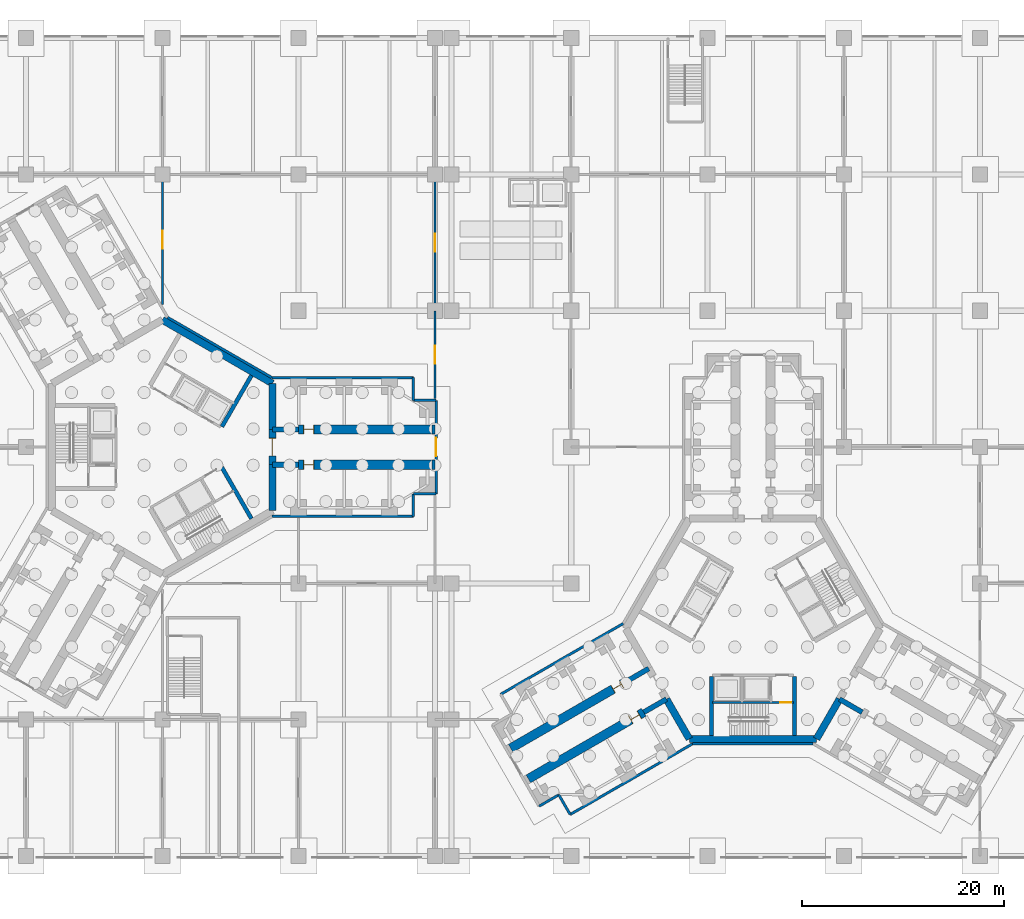
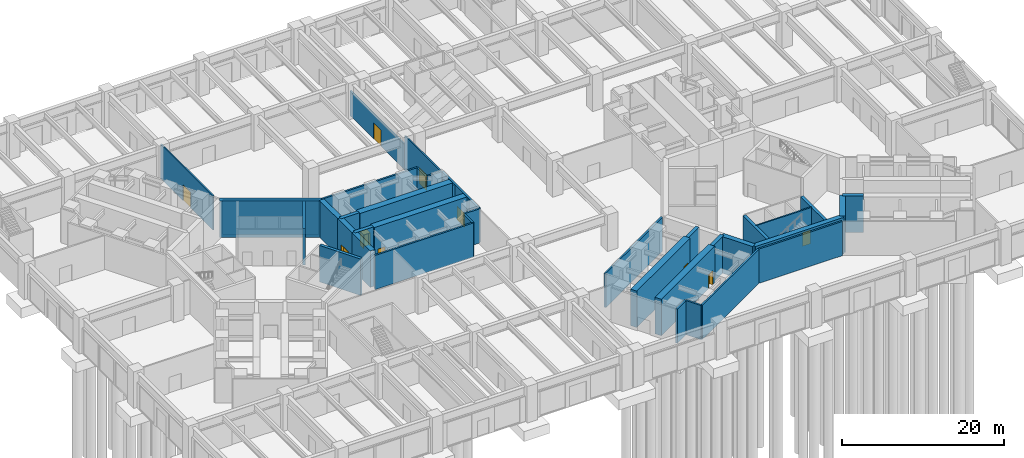
# One storey, part 9 of 18: 39 walls, 10 doors, 10 openings.
"""IFC4 building model written with IfcOpenShell, lengths in metres."""

from ifc_helpers import new_model, si_unit, direction, frame, frame_2d, origin, place, context, subcontext, project, spatial, rectangle, extrude, material, layer, layer_set, type_object, element, fill, save


model = new_model("IFC4")

# Units and contexts
model_context = context("Model", 3, precision=1e-05, world=origin(), true_north=direction((0.0, 1.0)))
body_context = subcontext(model_context, "Body", "Model", "MODEL_VIEW")
ifc_project = project(units=[si_unit("LENGTHUNIT", "METRE"), si_unit("AREAUNIT", "SQUARE_METRE"), si_unit("VOLUMEUNIT", "CUBIC_METRE"), si_unit("PLANEANGLEUNIT", "RADIAN"), si_unit("MASSUNIT", "GRAM", prefix="KILO")], contexts=[model_context])

# Site, building, storey
site_placement = place(None, origin())
site = spatial("IfcSite", under=ifc_project, at=site_placement, CompositionType="ELEMENT")
building_placement = place(site_placement, origin())
building = spatial("IfcBuilding", under=site, at=building_placement, Name="Upepo Twin Towers", CompositionType="ELEMENT")
storey_placement = place(building_placement, origin())
storey = spatial("IfcBuildingStorey", under=building, at=storey_placement, Name="L00", CompositionType="ELEMENT", Elevation=0.0)

# Walls
ifc_material_1 = material(Name="Dense concrete blockwork", Category="masonry")
ifc_layer_1 = layer(ifc_material_1, 0.89990234375)
ifc_layer_set_1 = layer_set([ifc_layer_1], Name="Buttress closer 900, blockwork with fire-stopping to the curtain wall")
wall_type_1 = type_object("IfcWallType", Name="Buttress closer 900, blockwork with fire-stopping to the curtain wall", PredefinedType="PARTITIONING", material=ifc_layer_set_1)
for number, where, z_axis, x_axis, name in (
    (1, (26.699951171875, 1.75, 0.0), (0.0, 0.0, 1.0), (1.0, 0.0, 0.0), "T1 L00 wing A buttress closer L"),
    (2, (26.699951171875, -1.75, 0.0), (0.0, 0.0, 1.0), (1.0, 0.0, 0.0), "T1 L00 wing A buttress closer R"),
):
    element("IfcWall", number, at=place(storey_placement, frame(where, z_axis=z_axis, x_axis=x_axis)), inside=storey, type_object=wall_type_1, Name=name, PredefinedType="PARTITIONING", context=body_context, shape_type="SweptSolid", body=[
        extrude(rectangle(XDim=0.300048828125, YDim=0.89990234375, at=frame_2d((0.14990234375, 0.0))), origin(), (0.0, 0.0, 1.0), 5.14990234375),
    ])
ifc_material_2 = material(Name="Concrete C60/75", Category="concrete")
ifc_layer_2 = layer(ifc_material_2, 0.5)
ifc_layer_set_2 = layer_set([ifc_layer_2], Name="Concrete C60/75")
wall_type_2 = type_object("IfcWallType", Name="Buttress wall 500 RC", PredefinedType="SHEAR", material=ifc_layer_set_2)
for number, where, z_axis, x_axis, name in (
    (3, (10.908447265625, 1.75, 0.0), (0.0, 0.0, 1.0), (1.0, 0.0, 0.0), "T1 wing A buttress wall L"),
    (4, (10.908447265625, -1.75, 0.0), (0.0, 0.0, 1.0), (1.0, 0.0, 0.0), "T1 wing A buttress wall R"),
):
    element("IfcWall", number, at=place(storey_placement, frame(where, z_axis=z_axis, x_axis=x_axis)), inside=storey, type_object=wall_type_2, Name=name, PredefinedType="SHEAR", context=body_context, shape_type="SweptSolid", body=[
        extrude(rectangle(XDim=2.591552734375, YDim=0.5, at=frame_2d((1.2958984375, 0.0))), origin(), (0.0, 0.0, 1.0), 5.5),
    ])
for number, where, z_axis, x_axis, name in (
    (5, (49.92822265625, -24.9697265625, 0.0), (0.0, 0.0, 1.0), (-0.866031863473, -0.499988811324, 0.0), "T2 wing B buttress wall L"),
    (6, (48.17822265625, -21.938720703125, 0.0), (0.0, 0.0, 1.0), (-0.866072649678, -0.499918158782, 0.0), "T2 wing B buttress wall R"),
    (7, (67.07177734375, -24.9697265625, 0.0), (0.0, 0.0, 1.0), (0.866031863473, -0.499988811324, 0.0), "T2 wing C buttress wall R"),
):
    element("IfcWall", number, at=place(storey_placement, frame(where, z_axis=z_axis, x_axis=x_axis)), inside=storey, type_object=wall_type_2, Name=name, PredefinedType="SHEAR", context=body_context, shape_type="SweptSolid", body=[
        extrude(rectangle(XDim=2.591796875, YDim=0.5, at=frame_2d((1.2958984375, 0.0))), origin(), (0.0, 0.0, 1.0), 5.5),
    ])

# Wall, opening, door
ifc_material_3 = material(Name="Concrete C60/75", Category="concrete")
ifc_layer_3 = layer(ifc_material_3, 0.89990234375)
ifc_layer_set_3 = layer_set([ifc_layer_3], Name="Concrete C60/75")
wall_type_3 = type_object("IfcWallType", Name="Buttress wall 900 RC", PredefinedType="SHEAR", material=ifc_layer_set_3)
wall_1_placement = place(storey_placement, frame((13.5, 1.75, 0.0), z_axis=(0.0, 0.0, 1.0), x_axis=(1.0, 0.0, 0.0)))
wall_1 = element("IfcWall", 8, at=wall_1_placement, inside=storey, type_object=wall_type_3, Name="T1 wing A buttress wall L part 2", PredefinedType="SHEAR", context=body_context, shape_type="SweptSolid", body=[
    extrude(rectangle(XDim=13.199951171875, YDim=0.89990234375, at=frame_2d((6.60009765625, 0.0))), origin(), (0.0, 0.0, 1.0), 5.5),
])
opening_1_placement = place(wall_1_placement, frame((0.5, 0.0, 0.0)))
opening_1 = element("IfcOpeningElement", 9, at=opening_1_placement, cuts=wall_1, Name="Opening D1", PredefinedType="OPENING", context=body_context, shape_type="SweptSolid", body=[
    extrude(rectangle(XDim=1.0, YDim=2.10009765625, at=frame_2d((0.5, 1.050048828125))), frame((0.0, 0.4599609375, 0.0), z_axis=(0.0, -1.0, 0.0), x_axis=(1.0, 0.0, 0.0)), (0.0, 0.0, 1.0), 0.919921875),
])
ifc_material_4 = material(Name="Timber doorset", Category="wood")
door_type_1 = type_object("IfcDoorType", Name="Room door 1000 FD30", OperationType="SINGLE_SWING_LEFT", PredefinedType="DOOR", material=ifc_material_4)
door_1_placement = place(opening_1_placement, origin())
door_1 = element("IfcDoor", 10, at=door_1_placement, inside=storey, type_object=door_type_1, Name="T1 L00 faculty reception door", OperationType="SINGLE_SWING_LEFT", OverallHeight=2.10009765625, OverallWidth=1.0, PredefinedType="DOOR", context=body_context, shape_type="SweptSolid", body=[
    extrude(rectangle(XDim=0.92, YDim=2.06009765625, at=frame_2d((0.5, 1.030029296875))), frame((0.0, 0.02490234375, 0.0), z_axis=(0.0, -1.0, 0.0), x_axis=(1.0, 0.0, 0.0)), (0.0, 0.0, 1.0), 0.050048828125),
    extrude(rectangle(XDim=0.04, YDim=2.10009765625, at=frame_2d((0.02001953125, 1.050048828125))), frame((0.0, 0.44970703125, 0.0), z_axis=(0.0, -1.0, 0.0), x_axis=(1.0, 0.0, 0.0)), (0.0, 0.0, 1.0), 0.8994140625),
    extrude(rectangle(XDim=0.04, YDim=2.10009765625, at=frame_2d((0.97998046875, 1.050048828125))), frame((0.0, 0.44970703125, 0.0), z_axis=(0.0, -1.0, 0.0), x_axis=(1.0, 0.0, 0.0)), (0.0, 0.0, 1.0), 0.8994140625),
    extrude(rectangle(XDim=0.92, YDim=0.04, at=frame_2d((0.5, 2.080078125))), frame((0.0, 0.44970703125, 0.0), z_axis=(0.0, -1.0, 0.0), x_axis=(1.0, 0.0, 0.0)), (0.0, 0.0, 1.0), 0.8994140625),
])
fill(opening_1, door_1)

wall_2_placement = place(storey_placement, frame((13.5, -1.75, 0.0), z_axis=(0.0, 0.0, 1.0), x_axis=(1.0, 0.0, 0.0)))
wall_2 = element("IfcWall", 11, at=wall_2_placement, inside=storey, type_object=wall_type_3, Name="T1 wing A buttress wall R part 2", PredefinedType="SHEAR", context=body_context, shape_type="SweptSolid", body=[
    extrude(rectangle(XDim=13.199951171875, YDim=0.89990234375, at=frame_2d((6.60009765625, 0.0))), origin(), (0.0, 0.0, 1.0), 5.5),
])
opening_2_placement = place(wall_2_placement, frame((0.5, 0.0, 0.0)))
opening_2 = element("IfcOpeningElement", 12, at=opening_2_placement, cuts=wall_2, Name="Opening D1", PredefinedType="OPENING", context=body_context, shape_type="SweptSolid", body=[
    extrude(rectangle(XDim=1.0, YDim=2.10009765625, at=frame_2d((0.5, 1.050048828125))), frame((0.0, 0.4599609375, 0.0), z_axis=(0.0, -1.0, 0.0), x_axis=(1.0, 0.0, 0.0)), (0.0, 0.0, 1.0), 0.919921875),
])
door_2_placement = place(opening_2_placement, origin())
door_2 = element("IfcDoor", 13, at=door_2_placement, inside=storey, type_object=door_type_1, Name="T1 L00 faculty reception door", OperationType="SINGLE_SWING_LEFT", OverallHeight=2.10009765625, OverallWidth=1.0, PredefinedType="DOOR", context=body_context, shape_type="SweptSolid", body=[
    extrude(rectangle(XDim=0.92, YDim=2.06009765625, at=frame_2d((0.5, 1.030029296875))), frame((0.0, 0.02490234375, 0.0), z_axis=(0.0, -1.0, 0.0), x_axis=(1.0, 0.0, 0.0)), (0.0, 0.0, 1.0), 0.050048828125),
    extrude(rectangle(XDim=0.04, YDim=2.10009765625, at=frame_2d((0.02001953125, 1.050048828125))), frame((0.0, 0.44970703125, 0.0), z_axis=(0.0, -1.0, 0.0), x_axis=(1.0, 0.0, 0.0)), (0.0, 0.0, 1.0), 0.8994140625),
    extrude(rectangle(XDim=0.04, YDim=2.10009765625, at=frame_2d((0.97998046875, 1.050048828125))), frame((0.0, 0.44970703125, 0.0), z_axis=(0.0, -1.0, 0.0), x_axis=(1.0, 0.0, 0.0)), (0.0, 0.0, 1.0), 0.8994140625),
    extrude(rectangle(XDim=0.92, YDim=0.04, at=frame_2d((0.5, 2.080078125))), frame((0.0, 0.44970703125, 0.0), z_axis=(0.0, -1.0, 0.0), x_axis=(1.0, 0.0, 0.0)), (0.0, 0.0, 1.0), 0.8994140625),
])
fill(opening_2, door_2)

wall_3_placement = place(storey_placement, frame((47.68359375, -26.265625, 0.0), z_axis=(0.0, 0.0, 1.0), x_axis=(-0.866027579429, -0.499996231654, 0.0)))
wall_3 = element("IfcWall", 14, at=wall_3_placement, inside=storey, type_object=wall_type_3, Name="T2 wing B buttress wall L part 2", PredefinedType="SHEAR", context=body_context, shape_type="SweptSolid", body=[
    extrude(rectangle(XDim=13.19970703125, YDim=0.89990234375, at=frame_2d((6.599853515625, 0.0))), origin(), (0.0, 0.0, 1.0), 5.5),
])
opening_3_placement = place(wall_3_placement, frame((0.5, 0.0, 0.0)))
opening_3 = element("IfcOpeningElement", 15, at=opening_3_placement, cuts=wall_3, Name="Opening D1", PredefinedType="OPENING", context=body_context, shape_type="SweptSolid", body=[
    extrude(rectangle(XDim=1.0, YDim=2.10009765625, at=frame_2d((0.5, 1.050048828125))), frame((0.0, 0.4599609375, 0.0), z_axis=(0.0, -1.0, 0.0), x_axis=(1.0, 0.0, 0.0)), (0.0, 0.0, 1.0), 0.919921875),
])
door_3_placement = place(opening_3_placement, origin())
door_3 = element("IfcDoor", 16, at=door_3_placement, inside=storey, type_object=door_type_1, Name="T2 L00 student advice centre door", OperationType="SINGLE_SWING_LEFT", OverallHeight=2.10009765625, OverallWidth=1.0, PredefinedType="DOOR", context=body_context, shape_type="SweptSolid", body=[
    extrude(rectangle(XDim=0.92, YDim=2.06009765625, at=frame_2d((0.5, 1.030029296875))), frame((0.0, 0.02490234375, 0.0), z_axis=(0.0, -1.0, 0.0), x_axis=(1.0, 0.0, 0.0)), (0.0, 0.0, 1.0), 0.050048828125),
    extrude(rectangle(XDim=0.04, YDim=2.10009765625, at=frame_2d((0.02001953125, 1.050048828125))), frame((0.0, 0.44970703125, 0.0), z_axis=(0.0, -1.0, 0.0), x_axis=(1.0, 0.0, 0.0)), (0.0, 0.0, 1.0), 0.8994140625),
    extrude(rectangle(XDim=0.04, YDim=2.10009765625, at=frame_2d((0.97998046875, 1.050048828125))), frame((0.0, 0.44970703125, 0.0), z_axis=(0.0, -1.0, 0.0), x_axis=(1.0, 0.0, 0.0)), (0.0, 0.0, 1.0), 0.8994140625),
    extrude(rectangle(XDim=0.92, YDim=0.04, at=frame_2d((0.5, 2.080078125))), frame((0.0, 0.44970703125, 0.0), z_axis=(0.0, -1.0, 0.0), x_axis=(1.0, 0.0, 0.0)), (0.0, 0.0, 1.0), 0.8994140625),
])
fill(opening_3, door_3)

wall_4_placement = place(storey_placement, frame((45.93359375, -23.234375, 0.0), z_axis=(0.0, 0.0, 1.0), x_axis=(-0.866019570528, -0.500010103361, 0.0)))
wall_4 = element("IfcWall", 17, at=wall_4_placement, inside=storey, type_object=wall_type_3, Name="T2 wing B buttress wall R part 2", PredefinedType="SHEAR", context=body_context, shape_type="SweptSolid", body=[
    extrude(rectangle(XDim=13.199951171875, YDim=0.89990234375, at=frame_2d((6.60009765625, 0.0))), origin(), (0.0, 0.0, 1.0), 5.5),
])
opening_4_placement = place(wall_4_placement, frame((0.5, 0.0, 0.0)))
opening_4 = element("IfcOpeningElement", 18, at=opening_4_placement, cuts=wall_4, Name="Opening D1", PredefinedType="OPENING", context=body_context, shape_type="SweptSolid", body=[
    extrude(rectangle(XDim=1.0, YDim=2.10009765625, at=frame_2d((0.5, 1.050048828125))), frame((0.0, 0.4599609375, 0.0), z_axis=(0.0, -1.0, 0.0), x_axis=(1.0, 0.0, 0.0)), (0.0, 0.0, 1.0), 0.919921875),
])
door_4_placement = place(opening_4_placement, origin())
door_4 = element("IfcDoor", 19, at=door_4_placement, inside=storey, type_object=door_type_1, Name="T2 L00 student advice centre door", OperationType="SINGLE_SWING_LEFT", OverallHeight=2.10009765625, OverallWidth=1.0, PredefinedType="DOOR", context=body_context, shape_type="SweptSolid", body=[
    extrude(rectangle(XDim=0.92, YDim=2.06009765625, at=frame_2d((0.5, 1.030029296875))), frame((0.0, 0.02490234375, 0.0), z_axis=(0.0, -1.0, 0.0), x_axis=(1.0, 0.0, 0.0)), (0.0, 0.0, 1.0), 0.050048828125),
    extrude(rectangle(XDim=0.04, YDim=2.10009765625, at=frame_2d((0.02001953125, 1.050048828125))), frame((0.0, 0.44970703125, 0.0), z_axis=(0.0, -1.0, 0.0), x_axis=(1.0, 0.0, 0.0)), (0.0, 0.0, 1.0), 0.8994140625),
    extrude(rectangle(XDim=0.04, YDim=2.10009765625, at=frame_2d((0.97998046875, 1.050048828125))), frame((0.0, 0.44970703125, 0.0), z_axis=(0.0, -1.0, 0.0), x_axis=(1.0, 0.0, 0.0)), (0.0, 0.0, 1.0), 0.8994140625),
    extrude(rectangle(XDim=0.92, YDim=0.04, at=frame_2d((0.5, 2.080078125))), frame((0.0, 0.44970703125, 0.0), z_axis=(0.0, -1.0, 0.0), x_axis=(1.0, 0.0, 0.0)), (0.0, 0.0, 1.0), 0.8994140625),
])
fill(opening_4, door_4)

# Wall
ifc_material_5 = material(Name="Concrete C60/75", Category="concrete")
ifc_layer_4 = layer(ifc_material_5, 0.699951171875)
ifc_layer_set_4 = layer_set([ifc_layer_4], Name="Concrete C60/75")
wall_type_4 = type_object("IfcWallType", Name="Core wall 700 RC", PredefinedType="SHEAR", material=ifc_layer_set_4)
wall_5_placement = place(storey_placement, frame((10.908447265625, -6.2978515625, 0.0), z_axis=(0.0, 0.0, 1.0), x_axis=(0.0, 1.0, 0.0)))
element("IfcWall", 20, at=wall_5_placement, inside=storey, type_object=wall_type_4, Name="T1 core wall 000 R", PredefinedType="SHEAR", context=body_context, shape_type="SweptSolid", body=[
    extrude(rectangle(XDim=4.5478515625, YDim=0.699951171875, at=frame_2d((2.27392578125, 0.0))), origin(), (0.0, 0.0, 1.0), 5.5),
])

# Wall, opening, door
wall_6_placement = place(storey_placement, frame((10.908447265625, -1.75, 0.0), z_axis=(0.0, 0.0, 1.0), x_axis=(0.0, 1.0, 0.0)))
wall_6 = element("IfcWall", 21, at=wall_6_placement, inside=storey, type_object=wall_type_4, Name="T1 core wall 000", PredefinedType="SHEAR", context=body_context, shape_type="SweptSolid", body=[
    extrude(rectangle(XDim=3.5, YDim=0.699951171875, at=frame_2d((1.75, 0.0))), origin(), (0.0, 0.0, 1.0), 5.5),
])
opening_5_placement = place(wall_6_placement, frame((0.85009765625, 0.0, 0.0)))
opening_5 = element("IfcOpeningElement", 22, at=opening_5_placement, cuts=wall_6, Name="Opening D2", PredefinedType="OPENING", context=body_context, shape_type="SweptSolid", body=[
    extrude(rectangle(XDim=1.800048828125, YDim=2.10009765625, at=frame_2d((0.89990234375, 1.050048828125))), frame((0.0, 0.35986328125, 0.0), z_axis=(0.0, -1.0, 0.0), x_axis=(1.0, 0.0, 0.0)), (0.0, 0.0, 1.0), 0.719970703125),
])
ifc_material_6 = material(Name="Timber doorset", Category="wood")
door_type_2 = type_object("IfcDoorType", Name="Corridor double door 1800 FD60", OperationType="DOUBLE_DOOR_DOUBLE_SWING", PredefinedType="DOOR", material=ifc_material_6)
door_5_placement = place(opening_5_placement, origin())
door_5 = element("IfcDoor", 23, at=door_5_placement, inside=storey, type_object=door_type_2, Name="T1 L00 wing A corridor door", OperationType="DOUBLE_DOOR_DOUBLE_SWING", OverallHeight=2.10009765625, OverallWidth=1.800048828125, PredefinedType="DOOR", context=body_context, shape_type="SweptSolid", body=[
    extrude(rectangle(XDim=1.720048828125, YDim=2.06009765625, at=frame_2d((0.89990234375, 1.030029296875))), frame((0.0, 0.02490234375, 0.0), z_axis=(0.0, -1.0, 0.0), x_axis=(1.0, 0.0, 0.0)), (0.0, 0.0, 1.0), 0.050048828125),
    extrude(rectangle(XDim=0.04, YDim=2.10009765625, at=frame_2d((0.02001953125, 1.050048828125))), frame((0.0, 0.349609375, 0.0), z_axis=(0.0, -1.0, 0.0), x_axis=(1.0, 0.0, 0.0)), (0.0, 0.0, 1.0), 0.699462890625),
    extrude(rectangle(XDim=0.04, YDim=2.10009765625, at=frame_2d((1.780029296875, 1.050048828125))), frame((0.0, 0.349609375, 0.0), z_axis=(0.0, -1.0, 0.0), x_axis=(1.0, 0.0, 0.0)), (0.0, 0.0, 1.0), 0.699462890625),
    extrude(rectangle(XDim=1.720048828125, YDim=0.04, at=frame_2d((0.89990234375, 2.080078125))), frame((0.0, 0.349609375, 0.0), z_axis=(0.0, -1.0, 0.0), x_axis=(1.0, 0.0, 0.0)), (0.0, 0.0, 1.0), 0.699462890625),
])
fill(opening_5, door_5)

# Walls
wall_7_placement = place(storey_placement, frame((10.908447265625, 1.75, 0.0), z_axis=(0.0, 0.0, 1.0), x_axis=(0.0, 1.0, 0.0)))
element("IfcWall", 24, at=wall_7_placement, inside=storey, type_object=wall_type_4, Name="T1 core wall 000 L", PredefinedType="SHEAR", context=body_context, shape_type="SweptSolid", body=[
    extrude(rectangle(XDim=4.5478515625, YDim=0.699951171875, at=frame_2d((2.27392578125, 0.0))), origin(), (0.0, 0.0, 1.0), 5.5),
])
wall_8_placement = place(storey_placement, frame((10.908447265625, 6.2978515625, 0.0), z_axis=(0.0, 0.0, 1.0), x_axis=(-0.866021940709, 0.500005998175, 0.0)))
element("IfcWall", 25, at=wall_8_placement, inside=storey, type_object=wall_type_4, Name="T1 core wall 060", PredefinedType="SHEAR", context=body_context, shape_type="SweptSolid", body=[
    extrude(rectangle(XDim=12.595947265625, YDim=0.699951171875, at=frame_2d((6.2978515625, 0.0))), origin(), (0.0, 0.0, 1.0), 5.5),
])
wall_9_placement = place(storey_placement, frame((49.92822265625, -24.9697265625, 0.0), z_axis=(0.0, 0.0, 1.0), x_axis=(0.499984222037, -0.866034513004, 0.0)))
element("IfcWall", 26, at=wall_9_placement, inside=storey, type_object=wall_type_4, Name="T2 core wall 120 L", PredefinedType="SHEAR", context=body_context, shape_type="SweptSolid", body=[
    extrude(rectangle(XDim=4.548095703125, YDim=0.699951171875, at=frame_2d((2.27392578125, 0.0))), origin(), (0.0, 0.0, 1.0), 5.5),
])
wall_10_placement = place(storey_placement, frame((52.2021484375, -28.908447265625, 0.0), z_axis=(0.0, 0.0, 1.0), x_axis=(1.0, 0.0, 0.0)))
element("IfcWall", 27, at=wall_10_placement, inside=storey, type_object=wall_type_4, Name="T2 core wall 180", PredefinedType="SHEAR", context=body_context, shape_type="SweptSolid", body=[
    extrude(rectangle(XDim=12.595703125, YDim=0.699951171875, at=frame_2d((6.2978515625, 0.0))), origin(), (0.0, 0.0, 1.0), 5.5),
])
wall_11_placement = place(storey_placement, frame((64.7978515625, -28.908447265625, 0.0), z_axis=(0.0, 0.0, 1.0), x_axis=(0.499984222037, 0.866034513004, 0.0)))
element("IfcWall", 28, at=wall_11_placement, inside=storey, type_object=wall_type_4, Name="T2 core wall 240 R", PredefinedType="SHEAR", context=body_context, shape_type="SweptSolid", body=[
    extrude(rectangle(XDim=4.548095703125, YDim=0.699951171875, at=frame_2d((2.27392578125, 0.0))), origin(), (0.0, 0.0, 1.0), 5.5),
])

# Wall, opening, door
ifc_material_7 = material(Name="Concrete blockwork", Category="masonry")
ifc_layer_5 = layer(ifc_material_7, 0.199951171875)
ifc_layer_set_5 = layer_set([ifc_layer_5], Name="Podium partition 200 blockwork")
wall_type_5 = type_object("IfcWallType", Name="Podium partition 200 blockwork", PredefinedType="PARTITIONING", material=ifc_layer_set_5)
wall_12_placement = place(storey_placement, frame((0.0, 14.10009765625, 0.0), z_axis=(0.0, 0.0, 1.0), x_axis=(0.0, 1.0, 0.0)))
wall_12 = element("IfcWall", 29, at=wall_12_placement, inside=storey, type_object=wall_type_5, Name="L00 podium wall X24", PredefinedType="PARTITIONING", context=body_context, shape_type="SweptSolid", body=[
    extrude(rectangle(XDim=12.89990234375, YDim=0.199951171875, at=frame_2d((6.449951171875, 0.0))), origin(), (0.0, 0.0, 1.0), 5.14990234375),
])
opening_6_placement = place(wall_12_placement, frame((5.550048828125, 0.0, 0.0)))
opening_6 = element("IfcOpeningElement", 30, at=opening_6_placement, cuts=wall_12, Name="Opening D10", PredefinedType="OPENING", context=body_context, shape_type="SweptSolid", body=[
    extrude(rectangle(XDim=1.800048828125, YDim=2.39990234375, at=frame_2d((0.89990234375, 1.199951171875))), frame((0.0, 0.10986328125, 0.0), z_axis=(0.0, -1.0, 0.0), x_axis=(1.0, 0.0, 0.0)), (0.0, 0.0, 1.0), 0.219970703125),
])
ifc_material_8 = material(Name="Timber doorset", Category="wood")
door_type_3 = type_object("IfcDoorType", Name="Podium double door 1800", OperationType="DOUBLE_DOOR_DOUBLE_SWING", PredefinedType="DOOR", material=ifc_material_8)
door_6_placement = place(opening_6_placement, origin())
door_6 = element("IfcDoor", 31, at=door_6_placement, inside=storey, type_object=door_type_3, Name="L00 exam hall door 1", OperationType="DOUBLE_DOOR_DOUBLE_SWING", OverallHeight=2.39990234375, OverallWidth=1.800048828125, PredefinedType="DOOR", context=body_context, shape_type="SweptSolid", body=[
    extrude(rectangle(XDim=1.800048828125, YDim=2.39990234375, at=frame_2d((0.89990234375, 1.199951171875))), frame((0.0, 0.02490234375, 0.0), z_axis=(0.0, -1.0, 0.0), x_axis=(1.0, 0.0, 0.0)), (0.0, 0.0, 1.0), 0.050048828125),
])
fill(opening_6, door_6)

wall_13_placement = place(storey_placement, frame((27.0, 4.800048828125, 0.0), z_axis=(0.0, 0.0, 1.0), x_axis=(0.0, 1.0, 0.0)))
wall_13 = element("IfcWall", 32, at=wall_13_placement, inside=storey, type_object=wall_type_5, Name="L00 podium wall X43", PredefinedType="PARTITIONING", context=body_context, shape_type="SweptSolid", body=[
    extrude(rectangle(XDim=8.699951171875, YDim=0.199951171875, at=frame_2d((4.35009765625, 0.0))), origin(), (0.0, 0.0, 1.0), 5.14990234375),
])
opening_7_placement = place(wall_13_placement, frame((3.449951171875, 0.0, 0.0)))
opening_7 = element("IfcOpeningElement", 33, at=opening_7_placement, cuts=wall_13, Name="Opening D10", PredefinedType="OPENING", context=body_context, shape_type="SweptSolid", body=[
    extrude(rectangle(XDim=1.800048828125, YDim=2.39990234375, at=frame_2d((0.89990234375, 1.199951171875))), frame((0.0, 0.10986328125, 0.0), z_axis=(0.0, -1.0, 0.0), x_axis=(1.0, 0.0, 0.0)), (0.0, 0.0, 1.0), 0.219970703125),
])
door_7_placement = place(opening_7_placement, origin())
door_7 = element("IfcDoor", 34, at=door_7_placement, inside=storey, type_object=door_type_3, Name="L00 exam hall door 2", OperationType="DOUBLE_DOOR_DOUBLE_SWING", OverallHeight=2.39990234375, OverallWidth=1.800048828125, PredefinedType="DOOR", context=body_context, shape_type="SweptSolid", body=[
    extrude(rectangle(XDim=1.800048828125, YDim=2.39990234375, at=frame_2d((0.89990234375, 1.199951171875))), frame((0.0, 0.02490234375, 0.0), z_axis=(0.0, -1.0, 0.0), x_axis=(1.0, 0.0, 0.0)), (0.0, 0.0, 1.0), 0.050048828125),
])
fill(opening_7, door_7)

wall_14_placement = place(storey_placement, frame((27.0, 13.5, 0.0), z_axis=(0.0, 0.0, 1.0), x_axis=(0.0, 1.0, 0.0)))
wall_14 = element("IfcWall", 35, at=wall_14_placement, inside=storey, type_object=wall_type_5, Name="L00 podium wall X44", PredefinedType="PARTITIONING", context=body_context, shape_type="SweptSolid", body=[
    extrude(rectangle(XDim=13.5, YDim=0.199951171875, at=frame_2d((6.75, 0.0))), origin(), (0.0, 0.0, 1.0), 3.75),
])
opening_8_placement = place(wall_14_placement, frame((5.85009765625, 0.0, 0.0)))
opening_8 = element("IfcOpeningElement", 36, at=opening_8_placement, cuts=wall_14, Name="Opening D10", PredefinedType="OPENING", context=body_context, shape_type="SweptSolid", body=[
    extrude(rectangle(XDim=1.800048828125, YDim=2.39990234375, at=frame_2d((0.89990234375, 1.199951171875))), frame((0.0, 0.10986328125, 0.0), z_axis=(0.0, -1.0, 0.0), x_axis=(1.0, 0.0, 0.0)), (0.0, 0.0, 1.0), 0.219970703125),
])
door_8_placement = place(opening_8_placement, origin())
door_8 = element("IfcDoor", 37, at=door_8_placement, inside=storey, type_object=door_type_3, Name="L00 exam hall door 3", OperationType="DOUBLE_DOOR_DOUBLE_SWING", OverallHeight=2.39990234375, OverallWidth=1.800048828125, PredefinedType="DOOR", context=body_context, shape_type="SweptSolid", body=[
    extrude(rectangle(XDim=1.800048828125, YDim=2.39990234375, at=frame_2d((0.89990234375, 1.199951171875))), frame((0.0, 0.02490234375, 0.0), z_axis=(0.0, -1.0, 0.0), x_axis=(1.0, 0.0, 0.0)), (0.0, 0.0, 1.0), 0.050048828125),
])
fill(opening_8, door_8)

ifc_material_9 = material(Name="Concrete C40/50", Category="concrete")
ifc_layer_6 = layer(ifc_material_9, 0.199951171875)
ifc_layer_set_6 = layer_set([ifc_layer_6], Name="Concrete C40/50")
wall_type_6 = type_object("IfcWallType", Name="Shaft wall 200 RC", PredefinedType="SHEAR", material=ifc_layer_set_6)
wall_15_placement = place(storey_placement, frame((54.5, -25.300048828125, 0.0), z_axis=(0.0, 0.0, 1.0), x_axis=(1.0, 0.0, 0.0)))
wall_15 = element("IfcWall", 38, at=wall_15_placement, inside=storey, type_object=wall_type_6, Name="T2 core W180 stair wall", PredefinedType="SHEAR", context=body_context, shape_type="SweptSolid", body=[
    extrude(rectangle(XDim=8.0, YDim=0.199951171875, at=frame_2d((4.0, 0.0))), origin(), (0.0, 0.0, 1.0), 5.5),
])
opening_9_placement = place(wall_15_placement, frame((6.699951171875, 0.0, 0.0)))
opening_9 = element("IfcOpeningElement", 39, at=opening_9_placement, cuts=wall_15, Name="Opening D3", PredefinedType="OPENING", context=body_context, shape_type="SweptSolid", body=[
    extrude(rectangle(XDim=1.10009765625, YDim=2.10009765625, at=frame_2d((0.550048828125, 1.050048828125))), frame((0.0, 0.10986328125, 0.0), z_axis=(0.0, -1.0, 0.0), x_axis=(1.0, 0.0, 0.0)), (0.0, 0.0, 1.0), 0.219970703125),
])
ifc_material_10 = material(Name="Timber doorset", Category="wood")
door_type_4 = type_object("IfcDoorType", Name="Stair door 1100 FD60", OperationType="SINGLE_SWING_LEFT", PredefinedType="DOOR", material=ifc_material_10)
door_9_placement = place(opening_9_placement, origin())
door_9 = element("IfcDoor", 40, at=door_9_placement, inside=storey, type_object=door_type_4, Name="T2 L00 stair door", OperationType="SINGLE_SWING_RIGHT", OverallHeight=2.10009765625, OverallWidth=1.10009765625, PredefinedType="DOOR", context=body_context, shape_type="SweptSolid", body=[
    extrude(rectangle(XDim=1.10009765625, YDim=2.10009765625, at=frame_2d((0.550048828125, 1.050048828125))), frame((0.0, 0.02490234375, 0.0), z_axis=(0.0, -1.0, 0.0), x_axis=(1.0, 0.0, 0.0)), (0.0, 0.0, 1.0), 0.050048828125),
])
fill(opening_9, door_9)

# Walls
ifc_material_11 = material(Name="Concrete C40/50", Category="concrete")
ifc_layer_7 = layer(ifc_material_11, 0.39990234375)
ifc_layer_set_7 = layer_set([ifc_layer_7], Name="Concrete C40/50")
wall_type_7 = type_object("IfcWallType", Name="Shaft wall 400 RC", PredefinedType="SHEAR", material=ifc_layer_set_7)
for number, where, z_axis, x_axis, name in (
    (41, (5.900634765625, 2.020263671875, 0.0), (0.0, 0.0, 1.0), (0.500002627198, 0.866023886965, 0.0), "T1 core W60 side wall S"),
    (42, (5.900634765625, -2.020263671875, 0.0), (0.0, 0.0, 1.0), (0.500002627198, -0.866023886965, 0.0), "T1 core W300 side wall N"),
    (43, (62.60009765625, -22.699951171875, 0.0), (0.0, 0.0, 1.0), (0.0, -1.0, 0.0), "T2 core W180 side wall N"),
    (44, (54.39990234375, -22.699951171875, 0.0), (0.0, 0.0, 1.0), (0.0, -1.0, 0.0), "T2 core W180 side wall S"),
):
    element("IfcWall", number, at=place(storey_placement, frame(where, z_axis=z_axis, x_axis=x_axis)), inside=storey, type_object=wall_type_7, Name=name, PredefinedType="SHEAR", context=body_context, shape_type="SweptSolid", body=[
        extrude(rectangle(XDim=5.8583984375, YDim=0.39990234375, at=frame_2d((2.92919921875, 0.0))), origin(), (0.0, 0.0, 1.0), 5.5),
    ])
ifc_material_12 = material(Name="Concrete blockwork", Category="masonry")
ifc_layer_8 = layer(ifc_material_12, 0.25)
ifc_layer_set_8 = layer_set([ifc_layer_8], Name="Tower enclosure wall 250 blockwork")
wall_type_8 = type_object("IfcWallType", Name="Tower enclosure wall 250 blockwork", PredefinedType="STANDARD", material=ifc_layer_set_8)
wall_16_placement = place(storey_placement, frame((0.5244140625, 12.841552734375, 0.0), z_axis=(0.0, 0.0, 1.0), x_axis=(0.866027502425, -0.499996365031, 0.0)))
element("IfcWall", 45, at=wall_16_placement, inside=storey, type_object=wall_type_8, Name="T1 L00 enclosure wall 14", PredefinedType="STANDARD", context=body_context, shape_type="SweptSolid", body=[
    extrude(rectangle(XDim=11.93310546875, YDim=0.25, at=frame_2d((5.966552734375, 0.0))), origin(), (0.0, 0.0, 1.0), 5.14990234375),
])
wall_17_placement = place(storey_placement, frame((10.85888671875, 6.875, 0.0), z_axis=(0.0, 0.0, 1.0), x_axis=(1.0, 0.0, 0.0)))
element("IfcWall", 46, at=wall_17_placement, inside=storey, type_object=wall_type_8, Name="T1 L00 enclosure wall 15", PredefinedType="STANDARD", context=body_context, shape_type="SweptSolid", body=[
    extrude(rectangle(XDim=14.01611328125, YDim=0.25, at=frame_2d((7.008056640625, 0.0))), origin(), (0.0, 0.0, 1.0), 5.14990234375),
])
for number, where, z_axis, x_axis, name in (
    (47, (24.875, 6.875, 0.0), (0.0, 0.0, 1.0), (0.0, -1.0, 0.0), "T1 L00 enclosure wall 16"),
    (48, (24.875, 4.625, 0.0), (0.0, 0.0, 1.0), (1.0, 0.0, 0.0), "T1 L00 enclosure wall 17"),
):
    element("IfcWall", number, at=place(storey_placement, frame(where, z_axis=z_axis, x_axis=x_axis)), inside=storey, type_object=wall_type_8, Name=name, PredefinedType="STANDARD", context=body_context, shape_type="SweptSolid", body=[
        extrude(rectangle(XDim=2.25, YDim=0.25, at=frame_2d((1.125, 0.0))), origin(), (0.0, 0.0, 1.0), 5.14990234375),
    ])

# Wall, opening, door
wall_18_placement = place(storey_placement, frame((27.125, 4.625, 0.0), z_axis=(0.0, 0.0, 1.0), x_axis=(0.0, -1.0, 0.0)))
wall_18 = element("IfcWall", 49, at=wall_18_placement, inside=storey, type_object=wall_type_8, Name="T1 L00 enclosure wall 18", PredefinedType="STANDARD", context=body_context, shape_type="SweptSolid", body=[
    extrude(rectangle(XDim=9.25, YDim=0.25, at=frame_2d((4.625, 0.0))), origin(), (0.0, 0.0, 1.0), 5.14990234375),
])
opening_10_placement = place(wall_18_placement, frame((3.72509765625, 0.0, 0.0)))
opening_10 = element("IfcOpeningElement", 50, at=opening_10_placement, cuts=wall_18, Name="Opening D2", PredefinedType="OPENING", context=body_context, shape_type="SweptSolid", body=[
    extrude(rectangle(XDim=1.800048828125, YDim=2.10009765625, at=frame_2d((0.89990234375, 1.050048828125))), frame((0.0, 0.135009765625, 0.0), z_axis=(0.0, -1.0, 0.0), x_axis=(1.0, 0.0, 0.0)), (0.0, 0.0, 1.0), 0.27001953125),
])
door_10_placement = place(opening_10_placement, origin())
door_10 = element("IfcDoor", 51, at=door_10_placement, inside=storey, type_object=door_type_2, Name="T1 L00 wing A podium door", OperationType="DOUBLE_DOOR_DOUBLE_SWING", OverallHeight=2.10009765625, OverallWidth=1.800048828125, PredefinedType="DOOR", context=body_context, shape_type="SweptSolid", body=[
    extrude(rectangle(XDim=1.800048828125, YDim=2.10009765625, at=frame_2d((0.89990234375, 1.050048828125))), frame((0.0, 0.02490234375, 0.0), z_axis=(0.0, -1.0, 0.0), x_axis=(1.0, 0.0, 0.0)), (0.0, 0.0, 1.0), 0.050048828125),
])
fill(opening_10, door_10)

# Walls
for number, where, z_axis, x_axis, name in (
    (52, (27.125, -4.625, 0.0), (0.0, 0.0, 1.0), (-1.0, 0.0, 0.0), "T1 L00 enclosure wall 19"),
    (53, (24.875, -4.625, 0.0), (0.0, 0.0, 1.0), (0.0, -1.0, 0.0), "T1 L00 enclosure wall 20"),
):
    element("IfcWall", number, at=place(storey_placement, frame(where, z_axis=z_axis, x_axis=x_axis)), inside=storey, type_object=wall_type_8, Name=name, PredefinedType="STANDARD", context=body_context, shape_type="SweptSolid", body=[
        extrude(rectangle(XDim=2.25, YDim=0.25, at=frame_2d((1.125, 0.0))), origin(), (0.0, 0.0, 1.0), 5.14990234375),
    ])
wall_19_placement = place(storey_placement, frame((24.875, -6.875, 0.0), z_axis=(0.0, 0.0, 1.0), x_axis=(-1.0, 0.0, 0.0)))
element("IfcWall", 54, at=wall_19_placement, inside=storey, type_object=wall_type_8, Name="T1 L00 enclosure wall 21", PredefinedType="STANDARD", context=body_context, shape_type="SweptSolid", body=[
    extrude(rectangle(XDim=14.01611328125, YDim=0.25, at=frame_2d((7.008056640625, 0.0))), origin(), (0.0, 0.0, 1.0), 5.14990234375),
])
wall_20_placement = place(storey_placement, frame((64.466552734375, -29.38330078125, 0.0), z_axis=(0.0, 0.0, 1.0), x_axis=(-1.0, 0.0, 0.0)))
element("IfcWall", 55, at=wall_20_placement, inside=storey, type_object=wall_type_8, Name="T2 L00 enclosure wall 6", PredefinedType="STANDARD", context=body_context, shape_type="SweptSolid", body=[
    extrude(rectangle(XDim=11.93310546875, YDim=0.25, at=frame_2d((5.966552734375, 0.0))), origin(), (0.0, 0.0, 1.0), 5.14990234375),
])
wall_21_placement = place(storey_placement, frame((52.533447265625, -29.38330078125, 0.0), z_axis=(0.0, 0.0, 1.0), x_axis=(-0.866027500821, -0.499996367808, 0.0)))
element("IfcWall", 56, at=wall_21_placement, inside=storey, type_object=wall_type_8, Name="T2 L00 enclosure wall 7", PredefinedType="STANDARD", context=body_context, shape_type="SweptSolid", body=[
    extrude(rectangle(XDim=14.01611328125, YDim=0.25, at=frame_2d((7.008056640625, 0.0))), origin(), (0.0, 0.0, 1.0), 5.14990234375),
])
for number, where, z_axis, x_axis, name in (
    (57, (40.39501953125, -36.391357421875, 0.0), (0.0, 0.0, 1.0), (-0.500013631625, 0.866017533419, 0.0), "T2 L00 enclosure wall 8"),
    (58, (39.27001953125, -34.44287109375, 0.0), (0.0, 0.0, 1.0), (-0.866017533419, -0.500013631625, 0.0), "T2 L00 enclosure wall 9"),
):
    element("IfcWall", number, at=place(storey_placement, frame(where, z_axis=z_axis, x_axis=x_axis)), inside=storey, type_object=wall_type_8, Name=name, PredefinedType="STANDARD", context=body_context, shape_type="SweptSolid", body=[
        extrude(rectangle(XDim=2.25, YDim=0.25, at=frame_2d((1.125, 0.0))), origin(), (0.0, 0.0, 1.0), 5.14990234375),
    ])
wall_22_placement = place(storey_placement, frame((33.52001953125, -24.483642578125, 0.0), z_axis=(0.0, 0.0, 1.0), x_axis=(0.866027500821, 0.499996367808, 0.0)))
element("IfcWall", 59, at=wall_22_placement, inside=storey, type_object=wall_type_8, Name="T2 L00 enclosure wall 13", PredefinedType="STANDARD", context=body_context, shape_type="SweptSolid", body=[
    extrude(rectangle(XDim=14.01611328125, YDim=0.25, at=frame_2d((7.008056640625, 0.0))), origin(), (0.0, 0.0, 1.0), 5.14990234375),
])

save(model, "model.ifc")
